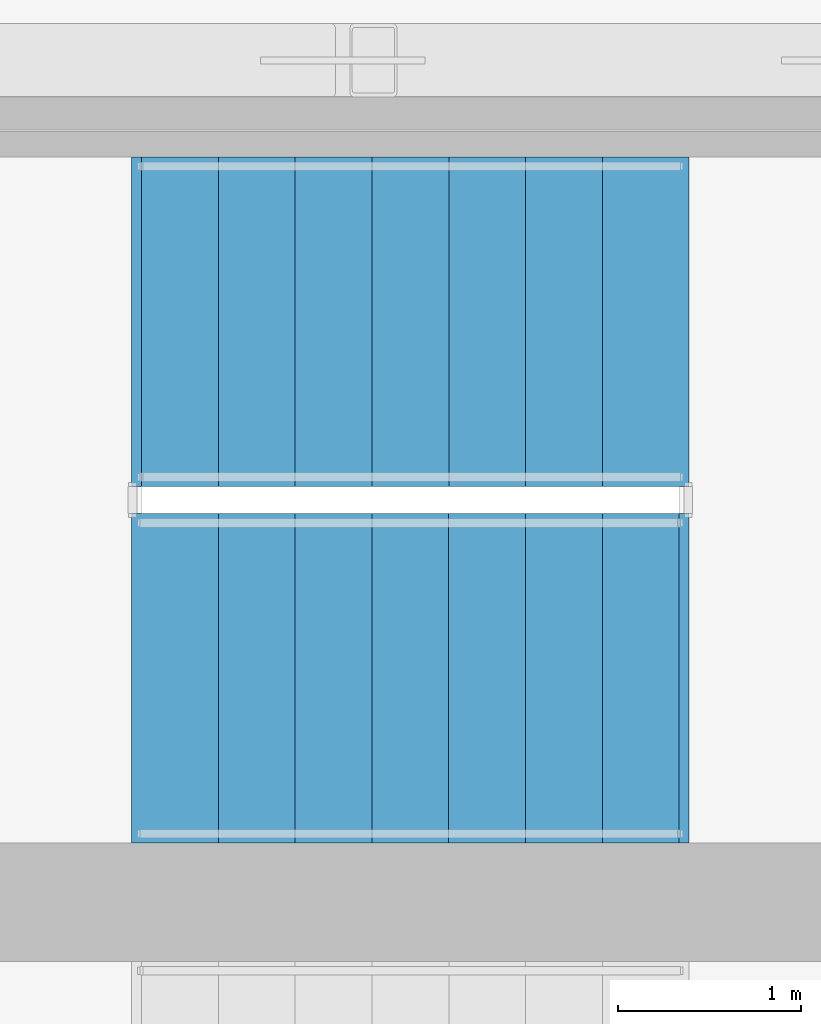
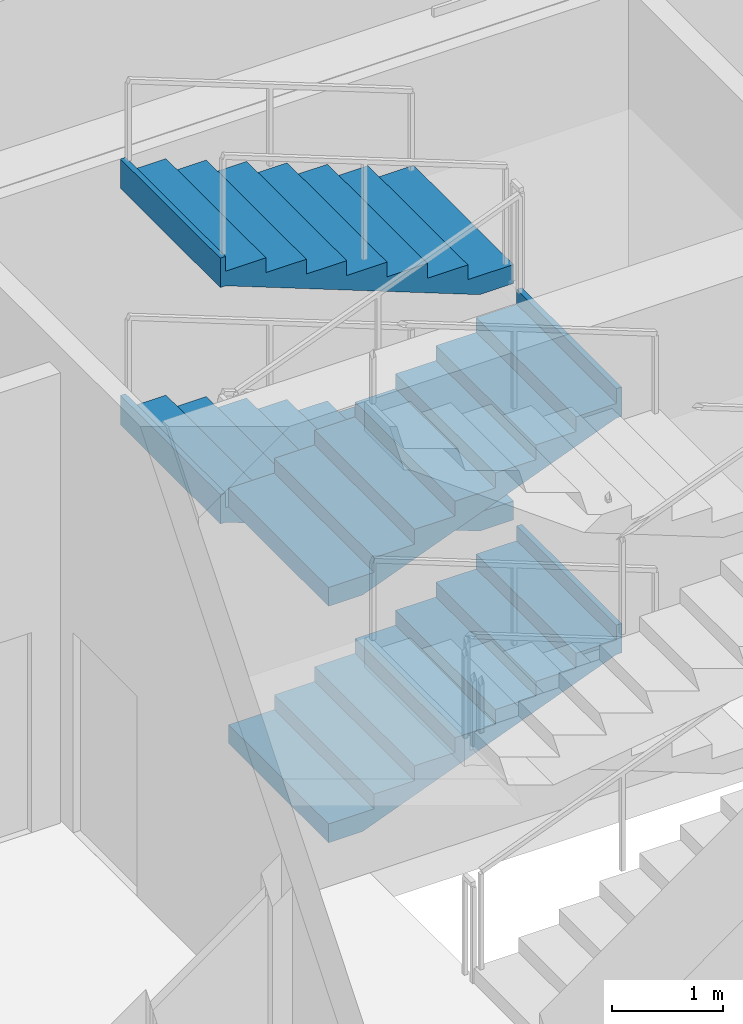
# One storey, part 5 of 8: 4 stair flights, 1 element without a shape of its own.
"""IFC4 building model written with IfcOpenShell, lengths in metres."""

from ifc_helpers import new_model, si_unit, direction, frame, origin, place, context, subcontext, project, spatial, polyline, outline, extrude, material, type_object, element, aggregate, save


model = new_model("IFC4")

# Units and contexts
model_context = context("Model", 3, precision=1e-05, world=origin(), true_north=direction((0.0, 1.0)))
body_context = subcontext(model_context, "Body", "Model", "MODEL_VIEW")
ifc_project = project(units=[si_unit("LENGTHUNIT", "METRE"), si_unit("AREAUNIT", "SQUARE_METRE"), si_unit("VOLUMEUNIT", "CUBIC_METRE"), si_unit("PLANEANGLEUNIT", "RADIAN"), si_unit("MASSUNIT", "GRAM", prefix="KILO")], contexts=[model_context])

# Site, building, storey
site_placement = place(None, origin())
site = spatial("IfcSite", under=ifc_project, at=site_placement, CompositionType="ELEMENT")
building_placement = place(site_placement, origin())
building = spatial("IfcBuilding", under=site, at=building_placement, Name="Caeloran Harvest Quay", CompositionType="ELEMENT")
storey_placement = place(building_placement, frame((0.0, 0.0, 178.550048828125)))
storey = spatial("IfcBuildingStorey", under=building, at=storey_placement, Name="L42", CompositionType="ELEMENT", Elevation=178.550048828125)

# Stair, stair flights
ifc_material = material(Name="Concrete C50/60", Category="concrete")
stair_type = type_object("IfcStairType", Name="STAIR-STC-180", PredefinedType="HALF_TURN_STAIR", material=ifc_material)
stair_placement = place(storey_placement, origin())
stair = element("IfcStair", 1, at=stair_placement, inside=storey, type_object=stair_type, Name="L42 Core Pressurized Exit Stair ST-C1", PredefinedType="HALF_TURN_STAIR")
stair_flight_type = type_object("IfcStairFlightType", Name="FLIGHT-STC-180", PredefinedType="STRAIGHT", material=ifc_material)
stair_flight_1_placement = place(storey_placement, frame((15.89990234375, 37.39990234375, 0.0), z_axis=(0.0, 0.0, 1.0), x_axis=(1.0, 0.0, 0.0)))
stair_flight_1 = element("IfcStairFlight", 2, at=stair_flight_1_placement, type_object=stair_flight_type, Name="ST-C1 flight 1", NumberOfRisers=8, NumberOfTreads=7, PredefinedType="STRAIGHT", RiserHeight=0.1625, TreadLength=0.42, context=body_context, shape_type="SweptSolid", body=[
    extrude(outline(polyline([(-0.054931640625, -0.044921875), (-0.054931640625, -0.031982421875), (-0.054931640625, -0.01904296875), (-0.054931640625, -0.006103515625), (-0.054931640625, 0.0068359375), (-0.054931640625, 0.019775390625), (-0.054931640625, 0.03271484375), (-0.054931640625, 0.0458984375), (-0.054931640625, 0.058837890625), (-0.054931640625, 0.07177734375), (-0.054931640625, 0.084716796875), (-0.054931640625, 0.09765625), (-0.054931640625, 0.110595703125), (-0.054931640625, 0.12353515625), (-0.054931640625, 0.136474609375), (-0.054931640625, 0.1494140625), (-0.054931640625, 0.16259765625), (0.419921875, 0.16259765625), (0.419921875, 0.324951171875), (0.840087890625, 0.324951171875), (0.840087890625, 0.487548828125), (1.260009765625, 0.487548828125), (1.260009765625, 0.64990234375), (1.679931640625, 0.64990234375), (1.679931640625, 0.8125), (2.10009765625, 0.8125), (2.10009765625, 0.97509765625), (2.52001953125, 0.97509765625), (2.52001953125, 1.137451171875), (2.93994140625, 1.137451171875), (2.93994140625, 1.300048828125), (2.9951171875, 1.300048828125), (2.9951171875, 1.27978515625), (2.9951171875, 1.259521484375), (2.9951171875, 1.239501953125), (2.9951171875, 1.21923828125), (2.9951171875, 1.198974609375), (2.9951171875, 1.1787109375), (2.9951171875, 1.15869140625), (2.9951171875, 1.138427734375), (2.9951171875, 1.1181640625), (2.9951171875, 1.097900390625), (2.9951171875, 1.077880859375), (2.9951171875, 1.0576171875), (2.9951171875, 1.037353515625), (2.9951171875, 1.01708984375), (2.9951171875, 0.9970703125), (2.9951171875, 0.976806640625), (2.93994140625, 0.976806640625), (0.299072265625, -0.044921875), (-0.054931640625, -0.044921875)])), frame((0.0, 0.89990234375, 0.0), z_axis=(0.0, -1.0, 0.0), x_axis=(1.0, 0.0, 0.0)), (0.0, 0.0, 1.0), 1.800048828125),
])
stair_flight_2_placement = place(storey_placement, frame((18.840087890625, 39.35009765625, 1.300048828125), z_axis=(0.0, 0.0, 1.0), x_axis=(-1.0, 0.0, 0.0)))
stair_flight_2 = element("IfcStairFlight", 3, at=stair_flight_2_placement, type_object=stair_flight_type, Name="ST-C1 flight 2", NumberOfRisers=8, NumberOfTreads=7, PredefinedType="STRAIGHT", RiserHeight=0.1625, TreadLength=0.42, context=body_context, shape_type="SweptSolid", body=[
    extrude(outline(polyline([(-0.054931640625, -0.044921875), (-0.054931640625, -0.031982421875), (-0.054931640625, -0.01904296875), (-0.054931640625, -0.006103515625), (-0.054931640625, 0.0068359375), (-0.054931640625, 0.019775390625), (-0.054931640625, 0.03271484375), (-0.054931640625, 0.0458984375), (-0.054931640625, 0.058837890625), (-0.054931640625, 0.07177734375), (-0.054931640625, 0.084716796875), (-0.054931640625, 0.09765625), (-0.054931640625, 0.110595703125), (-0.054931640625, 0.12353515625), (-0.054931640625, 0.136474609375), (-0.054931640625, 0.1494140625), (-0.054931640625, 0.16259765625), (0.419921875, 0.16259765625), (0.419921875, 0.324951171875), (0.840087890625, 0.324951171875), (0.840087890625, 0.487548828125), (1.260009765625, 0.487548828125), (1.260009765625, 0.64990234375), (1.679931640625, 0.64990234375), (1.679931640625, 0.8125), (2.10009765625, 0.8125), (2.10009765625, 0.97509765625), (2.52001953125, 0.97509765625), (2.52001953125, 1.137451171875), (2.93994140625, 1.137451171875), (2.93994140625, 1.300048828125), (2.9951171875, 1.300048828125), (2.9951171875, 1.27978515625), (2.9951171875, 1.259521484375), (2.9951171875, 1.239501953125), (2.9951171875, 1.21923828125), (2.9951171875, 1.198974609375), (2.9951171875, 1.1787109375), (2.9951171875, 1.15869140625), (2.9951171875, 1.138427734375), (2.9951171875, 1.1181640625), (2.9951171875, 1.097900390625), (2.9951171875, 1.077880859375), (2.9951171875, 1.0576171875), (2.9951171875, 1.037353515625), (2.9951171875, 1.01708984375), (2.9951171875, 0.9970703125), (2.9951171875, 0.976806640625), (2.93994140625, 0.976806640625), (0.299072265625, -0.044921875), (-0.054931640625, -0.044921875)])), frame((0.0, 0.89990234375, 0.0), z_axis=(0.0, -1.0, 0.0), x_axis=(1.0, 0.0, 0.0)), (0.0, 0.0, 1.0), 1.800048828125),
])
stair_flight_3_placement = place(storey_placement, frame((15.89990234375, 37.39990234375, 2.599853515625), z_axis=(0.0, 0.0, 1.0), x_axis=(1.0, 0.0, 0.0)))
stair_flight_3 = element("IfcStairFlight", 4, at=stair_flight_3_placement, type_object=stair_flight_type, Name="ST-C1 flight 3", NumberOfRisers=8, NumberOfTreads=7, PredefinedType="STRAIGHT", RiserHeight=0.1625, TreadLength=0.42, context=body_context, shape_type="SweptSolid", body=[
    extrude(outline(polyline([(-0.054931640625, -0.044921875), (-0.054931640625, -0.031982421875), (-0.054931640625, -0.01904296875), (-0.054931640625, -0.006103515625), (-0.054931640625, 0.0068359375), (-0.054931640625, 0.019775390625), (-0.054931640625, 0.03271484375), (-0.054931640625, 0.0458984375), (-0.054931640625, 0.058837890625), (-0.054931640625, 0.07177734375), (-0.054931640625, 0.084716796875), (-0.054931640625, 0.09765625), (-0.054931640625, 0.110595703125), (-0.054931640625, 0.12353515625), (-0.054931640625, 0.136474609375), (-0.054931640625, 0.1494140625), (-0.054931640625, 0.16259765625), (0.419921875, 0.16259765625), (0.419921875, 0.324951171875), (0.840087890625, 0.324951171875), (0.840087890625, 0.487548828125), (1.260009765625, 0.487548828125), (1.260009765625, 0.64990234375), (1.679931640625, 0.64990234375), (1.679931640625, 0.8125), (2.10009765625, 0.8125), (2.10009765625, 0.97509765625), (2.52001953125, 0.97509765625), (2.52001953125, 1.137451171875), (2.93994140625, 1.137451171875), (2.93994140625, 1.300048828125), (2.9951171875, 1.300048828125), (2.9951171875, 1.27978515625), (2.9951171875, 1.259521484375), (2.9951171875, 1.239501953125), (2.9951171875, 1.21923828125), (2.9951171875, 1.198974609375), (2.9951171875, 1.1787109375), (2.9951171875, 1.15869140625), (2.9951171875, 1.138427734375), (2.9951171875, 1.1181640625), (2.9951171875, 1.097900390625), (2.9951171875, 1.077880859375), (2.9951171875, 1.0576171875), (2.9951171875, 1.037353515625), (2.9951171875, 1.01708984375), (2.9951171875, 0.9970703125), (2.9951171875, 0.976806640625), (2.93994140625, 0.976806640625), (0.299072265625, -0.044921875), (-0.054931640625, -0.044921875)])), frame((0.0, 0.89990234375, 0.0), z_axis=(0.0, -1.0, 0.0), x_axis=(1.0, 0.0, 0.0)), (0.0, 0.0, 1.0), 1.800048828125),
])
stair_flight_4_placement = place(storey_placement, frame((18.840087890625, 39.35009765625, 3.89990234375), z_axis=(0.0, 0.0, 1.0), x_axis=(-1.0, 0.0, 0.0)))
stair_flight_4 = element("IfcStairFlight", 5, at=stair_flight_4_placement, type_object=stair_flight_type, Name="ST-C1 flight 4", NumberOfRisers=8, NumberOfTreads=7, PredefinedType="STRAIGHT", RiserHeight=0.1625, TreadLength=0.42, context=body_context, shape_type="SweptSolid", body=[
    extrude(outline(polyline([(-0.054931640625, -0.044921875), (-0.054931640625, -0.031982421875), (-0.054931640625, -0.01904296875), (-0.054931640625, -0.006103515625), (-0.054931640625, 0.0068359375), (-0.054931640625, 0.019775390625), (-0.054931640625, 0.03271484375), (-0.054931640625, 0.0458984375), (-0.054931640625, 0.058837890625), (-0.054931640625, 0.07177734375), (-0.054931640625, 0.084716796875), (-0.054931640625, 0.09765625), (-0.054931640625, 0.110595703125), (-0.054931640625, 0.12353515625), (-0.054931640625, 0.136474609375), (-0.054931640625, 0.1494140625), (-0.054931640625, 0.16259765625), (0.419921875, 0.16259765625), (0.419921875, 0.324951171875), (0.840087890625, 0.324951171875), (0.840087890625, 0.487548828125), (1.260009765625, 0.487548828125), (1.260009765625, 0.64990234375), (1.679931640625, 0.64990234375), (1.679931640625, 0.8125), (2.10009765625, 0.8125), (2.10009765625, 0.97509765625), (2.52001953125, 0.97509765625), (2.52001953125, 1.137451171875), (2.93994140625, 1.137451171875), (2.93994140625, 1.300048828125), (2.9951171875, 1.300048828125), (2.9951171875, 1.27978515625), (2.9951171875, 1.259521484375), (2.9951171875, 1.239501953125), (2.9951171875, 1.21923828125), (2.9951171875, 1.198974609375), (2.9951171875, 1.1787109375), (2.9951171875, 1.15869140625), (2.9951171875, 1.138427734375), (2.9951171875, 1.1181640625), (2.9951171875, 1.097900390625), (2.9951171875, 1.077880859375), (2.9951171875, 1.0576171875), (2.9951171875, 1.037353515625), (2.9951171875, 1.01708984375), (2.9951171875, 0.9970703125), (2.9951171875, 0.976806640625), (2.93994140625, 0.976806640625), (0.299072265625, -0.044921875), (-0.054931640625, -0.044921875)])), frame((0.0, 0.89990234375, 0.0), z_axis=(0.0, -1.0, 0.0), x_axis=(1.0, 0.0, 0.0)), (0.0, 0.0, 1.0), 1.800048828125),
])
aggregate(stair, [stair_flight_1, stair_flight_2, stair_flight_3, stair_flight_4])

save(model, "model.ifc")
